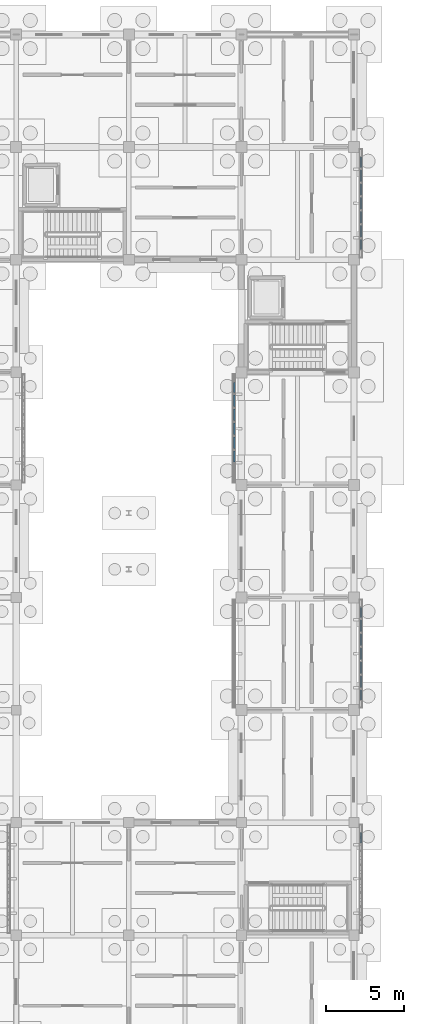
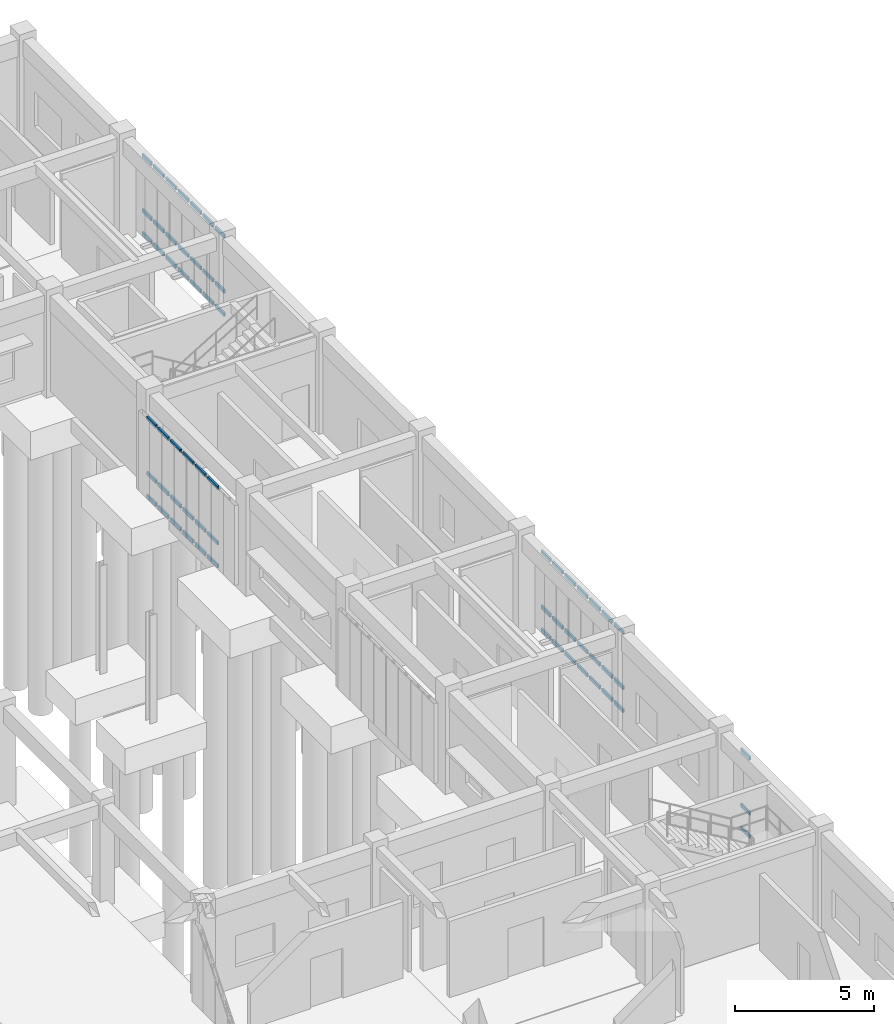
# One storey, part 46 of 111: 63 members, 4 elements without a shape of their own.
"""IFC4 building model written with IfcOpenShell, lengths in metres."""

from ifc_helpers import new_model, si_unit, direction, frame, origin, origin_2d, place, context, subcontext, project, spatial, hollow_rectangle, extrude, material, material_profile, profile_set, type_object, element, aggregate, save


model = new_model("IFC4")

# Units and contexts
model_context = context("Model", 3, precision=1e-05, world=origin(), true_north=direction((0.0, 1.0)))
body_context = subcontext(model_context, "Body", "Model", "MODEL_VIEW")
ifc_project = project(units=[si_unit("LENGTHUNIT", "METRE"), si_unit("AREAUNIT", "SQUARE_METRE"), si_unit("VOLUMEUNIT", "CUBIC_METRE"), si_unit("PLANEANGLEUNIT", "RADIAN"), si_unit("MASSUNIT", "GRAM", prefix="KILO")], contexts=[model_context])

# Site, building, storey
site_placement = place(None, origin())
site = spatial("IfcSite", under=ifc_project, at=site_placement, CompositionType="ELEMENT")
building_placement = place(site_placement, origin())
building = spatial("IfcBuilding", under=site, at=building_placement, Name="Aldebral Square Health Centre", CompositionType="ELEMENT")
storey_placement = place(building_placement, origin())
storey = spatial("IfcBuildingStorey", under=building, at=storey_placement, Name="L00", CompositionType="ELEMENT", Elevation=0.0)

# Curtain wall, members
ifc_material_1 = material(Name="Aluminium and low-E solar glass", Category="aluminium")
curtain_wall_type = type_object("IfcCurtainWallType", Name="CW-FIN-SYS", PredefinedType="USERDEFINED", material=ifc_material_1)
curtain_wall_1_placement = place(storey_placement, origin())
curtain_wall_1 = element("IfcCurtainWall", 1, at=curtain_wall_1_placement, inside=storey, type_object=curtain_wall_type, Name="L00 V5 finned curtain wall L00-V5-22-08-E", ObjectType="SOLAR_CURTAIN_WALL", PredefinedType="USERDEFINED")
ifc_material_2 = material(Name="Anodised aluminium transom", Category="aluminium")
ifc_material_profile = material_profile(ifc_material_2, hollow_rectangle(XDim=0.074951171875, YDim=0.14990234375, WallThickness=0.00390625, at=origin_2d()), Name="CWT 75x150x4")
ifc_profile_set = profile_set([ifc_material_profile], Name="Anodised aluminium transom")
member_type = type_object("IfcMemberType", Name="CWT-STD", PredefinedType="USERDEFINED", material=ifc_profile_set)
member_1_placement = place(storey_placement, frame((166.06005859375, 63.508544921875, 0.03759765625), z_axis=(0.0, 1.0, 0.0), x_axis=(-1.0, 0.0, 0.0)))
member_1 = element("IfcMember", 2, at=member_1_placement, type_object=member_type, Name="CW1 transom 7.1", ObjectType="TRANSOM", PredefinedType="USERDEFINED", context=body_context, shape_type="SweptSolid", body=[
    extrude(hollow_rectangle(XDim=0.074951171875, YDim=0.14990234375, WallThickness=0.00390625, at=origin_2d()), origin(), (0.0, 0.0, 1.0), 0.6513671875),
])
member_2_placement = place(storey_placement, frame((166.06005859375, 63.508544921875, 1.050048828125), z_axis=(0.0, 1.0, 0.0), x_axis=(-1.0, 0.0, 0.0)))
member_2 = element("IfcMember", 3, at=member_2_placement, type_object=member_type, Name="CW1 transom 7.2", ObjectType="TRANSOM", PredefinedType="USERDEFINED", context=body_context, shape_type="SweptSolid", body=[
    extrude(hollow_rectangle(XDim=0.074951171875, YDim=0.14990234375, WallThickness=0.00390625, at=origin_2d()), origin(), (0.0, 0.0, 1.0), 0.6513671875),
])
member_3_placement = place(storey_placement, frame((166.06005859375, 63.508544921875, 3.482421875), z_axis=(0.0, 1.0, 0.0), x_axis=(-1.0, 0.0, 0.0)))
member_3 = element("IfcMember", 4, at=member_3_placement, type_object=member_type, Name="CW1 transom 7.3", ObjectType="TRANSOM", PredefinedType="USERDEFINED", context=body_context, shape_type="SweptSolid", body=[
    extrude(hollow_rectangle(XDim=0.074951171875, YDim=0.14990234375, WallThickness=0.00390625, at=origin_2d()), origin(), (0.0, 0.0, 1.0), 0.6513671875),
])
aggregate(curtain_wall_1, [member_1, member_2, member_3])

curtain_wall_2_placement = place(storey_placement, origin())
curtain_wall_2 = element("IfcCurtainWall", 5, at=curtain_wall_2_placement, inside=storey, type_object=curtain_wall_type, Name="L00 V5 finned curtain wall L00-V5-22-10-E", ObjectType="SOLAR_CURTAIN_WALL", PredefinedType="USERDEFINED")
member_4_placement = place(storey_placement, frame((166.06005859375, 72.639892578125, 0.03759765625), z_axis=(0.0, 1.0, 0.0), x_axis=(-1.0, 0.0, 0.0)))
member_4 = element("IfcMember", 6, at=member_4_placement, type_object=member_type, Name="CW1 transom 1.1", ObjectType="TRANSOM", PredefinedType="USERDEFINED", context=body_context, shape_type="SweptSolid", body=[
    extrude(hollow_rectangle(XDim=0.074951171875, YDim=0.14990234375, WallThickness=0.00390625, at=origin_2d()), origin(), (0.0, 0.0, 1.0), 0.651611328125),
])
member_5_placement = place(storey_placement, frame((166.06005859375, 72.639892578125, 1.050048828125), z_axis=(0.0, 1.0, 0.0), x_axis=(-1.0, 0.0, 0.0)))
member_5 = element("IfcMember", 7, at=member_5_placement, type_object=member_type, Name="CW1 transom 1.2", ObjectType="TRANSOM", PredefinedType="USERDEFINED", context=body_context, shape_type="SweptSolid", body=[
    extrude(hollow_rectangle(XDim=0.074951171875, YDim=0.14990234375, WallThickness=0.00390625, at=origin_2d()), origin(), (0.0, 0.0, 1.0), 0.651611328125),
])
member_6_placement = place(storey_placement, frame((166.06005859375, 72.639892578125, 3.482421875), z_axis=(0.0, 1.0, 0.0), x_axis=(-1.0, 0.0, 0.0)))
member_6 = element("IfcMember", 8, at=member_6_placement, type_object=member_type, Name="CW1 transom 1.3", ObjectType="TRANSOM", PredefinedType="USERDEFINED", context=body_context, shape_type="SweptSolid", body=[
    extrude(hollow_rectangle(XDim=0.074951171875, YDim=0.14990234375, WallThickness=0.00390625, at=origin_2d()), origin(), (0.0, 0.0, 1.0), 0.651611328125),
])
member_7_placement = place(storey_placement, frame((166.06005859375, 73.451416015625, 0.03759765625), z_axis=(0.0, 1.0, 0.0), x_axis=(-1.0, 0.0, 0.0)))
member_7 = element("IfcMember", 9, at=member_7_placement, type_object=member_type, Name="CW1 transom 2.1", ObjectType="TRANSOM", PredefinedType="USERDEFINED", context=body_context, shape_type="SweptSolid", body=[
    extrude(hollow_rectangle(XDim=0.074951171875, YDim=0.14990234375, WallThickness=0.00390625, at=origin_2d()), origin(), (0.0, 0.0, 1.0), 0.7314453125),
])
member_8_placement = place(storey_placement, frame((166.06005859375, 73.451416015625, 1.050048828125), z_axis=(0.0, 1.0, 0.0), x_axis=(-1.0, 0.0, 0.0)))
member_8 = element("IfcMember", 10, at=member_8_placement, type_object=member_type, Name="CW1 transom 2.2", ObjectType="TRANSOM", PredefinedType="USERDEFINED", context=body_context, shape_type="SweptSolid", body=[
    extrude(hollow_rectangle(XDim=0.074951171875, YDim=0.14990234375, WallThickness=0.00390625, at=origin_2d()), origin(), (0.0, 0.0, 1.0), 0.7314453125),
])
member_9_placement = place(storey_placement, frame((166.06005859375, 73.451416015625, 3.482421875), z_axis=(0.0, 1.0, 0.0), x_axis=(-1.0, 0.0, 0.0)))
member_9 = element("IfcMember", 11, at=member_9_placement, type_object=member_type, Name="CW1 transom 2.3", ObjectType="TRANSOM", PredefinedType="USERDEFINED", context=body_context, shape_type="SweptSolid", body=[
    extrude(hollow_rectangle(XDim=0.074951171875, YDim=0.14990234375, WallThickness=0.00390625, at=origin_2d()), origin(), (0.0, 0.0, 1.0), 0.7314453125),
])
member_10_placement = place(storey_placement, frame((166.06005859375, 74.3427734375, 0.03759765625), z_axis=(0.0, 1.0, 0.0), x_axis=(-1.0, 0.0, 0.0)))
member_10 = element("IfcMember", 12, at=member_10_placement, type_object=member_type, Name="CW1 transom 3.1", ObjectType="TRANSOM", PredefinedType="USERDEFINED", context=body_context, shape_type="SweptSolid", body=[
    extrude(hollow_rectangle(XDim=0.074951171875, YDim=0.14990234375, WallThickness=0.00390625, at=origin_2d()), origin(), (0.0, 0.0, 1.0), 0.7314453125),
])
member_11_placement = place(storey_placement, frame((166.06005859375, 74.3427734375, 1.050048828125), z_axis=(0.0, 1.0, 0.0), x_axis=(-1.0, 0.0, 0.0)))
member_11 = element("IfcMember", 13, at=member_11_placement, type_object=member_type, Name="CW1 transom 3.2", ObjectType="TRANSOM", PredefinedType="USERDEFINED", context=body_context, shape_type="SweptSolid", body=[
    extrude(hollow_rectangle(XDim=0.074951171875, YDim=0.14990234375, WallThickness=0.00390625, at=origin_2d()), origin(), (0.0, 0.0, 1.0), 0.7314453125),
])
member_12_placement = place(storey_placement, frame((166.06005859375, 74.3427734375, 3.482421875), z_axis=(0.0, 1.0, 0.0), x_axis=(-1.0, 0.0, 0.0)))
member_12 = element("IfcMember", 14, at=member_12_placement, type_object=member_type, Name="CW1 transom 3.3", ObjectType="TRANSOM", PredefinedType="USERDEFINED", context=body_context, shape_type="SweptSolid", body=[
    extrude(hollow_rectangle(XDim=0.074951171875, YDim=0.14990234375, WallThickness=0.00390625, at=origin_2d()), origin(), (0.0, 0.0, 1.0), 0.7314453125),
])
member_13_placement = place(storey_placement, frame((166.06005859375, 75.234375, 0.03759765625), z_axis=(0.0, 1.0, 0.0), x_axis=(-1.0, 0.0, 0.0)))
member_13 = element("IfcMember", 15, at=member_13_placement, type_object=member_type, Name="CW1 transom 4.1", ObjectType="TRANSOM", PredefinedType="USERDEFINED", context=body_context, shape_type="SweptSolid", body=[
    extrude(hollow_rectangle(XDim=0.074951171875, YDim=0.14990234375, WallThickness=0.00390625, at=origin_2d()), origin(), (0.0, 0.0, 1.0), 0.7314453125),
])
member_14_placement = place(storey_placement, frame((166.06005859375, 75.234375, 1.050048828125), z_axis=(0.0, 1.0, 0.0), x_axis=(-1.0, 0.0, 0.0)))
member_14 = element("IfcMember", 16, at=member_14_placement, type_object=member_type, Name="CW1 transom 4.2", ObjectType="TRANSOM", PredefinedType="USERDEFINED", context=body_context, shape_type="SweptSolid", body=[
    extrude(hollow_rectangle(XDim=0.074951171875, YDim=0.14990234375, WallThickness=0.00390625, at=origin_2d()), origin(), (0.0, 0.0, 1.0), 0.7314453125),
])
member_15_placement = place(storey_placement, frame((166.06005859375, 75.234375, 3.482421875), z_axis=(0.0, 1.0, 0.0), x_axis=(-1.0, 0.0, 0.0)))
member_15 = element("IfcMember", 17, at=member_15_placement, type_object=member_type, Name="CW1 transom 4.3", ObjectType="TRANSOM", PredefinedType="USERDEFINED", context=body_context, shape_type="SweptSolid", body=[
    extrude(hollow_rectangle(XDim=0.074951171875, YDim=0.14990234375, WallThickness=0.00390625, at=origin_2d()), origin(), (0.0, 0.0, 1.0), 0.7314453125),
])
member_16_placement = place(storey_placement, frame((166.06005859375, 76.125732421875, 0.03759765625), z_axis=(0.0, 1.0, 0.0), x_axis=(-1.0, 0.0, 0.0)))
member_16 = element("IfcMember", 18, at=member_16_placement, type_object=member_type, Name="CW1 transom 5.1", ObjectType="TRANSOM", PredefinedType="USERDEFINED", context=body_context, shape_type="SweptSolid", body=[
    extrude(hollow_rectangle(XDim=0.074951171875, YDim=0.14990234375, WallThickness=0.00390625, at=origin_2d()), origin(), (0.0, 0.0, 1.0), 0.7314453125),
])
member_17_placement = place(storey_placement, frame((166.06005859375, 76.125732421875, 1.050048828125), z_axis=(0.0, 1.0, 0.0), x_axis=(-1.0, 0.0, 0.0)))
member_17 = element("IfcMember", 19, at=member_17_placement, type_object=member_type, Name="CW1 transom 5.2", ObjectType="TRANSOM", PredefinedType="USERDEFINED", context=body_context, shape_type="SweptSolid", body=[
    extrude(hollow_rectangle(XDim=0.074951171875, YDim=0.14990234375, WallThickness=0.00390625, at=origin_2d()), origin(), (0.0, 0.0, 1.0), 0.7314453125),
])
member_18_placement = place(storey_placement, frame((166.06005859375, 76.125732421875, 3.482421875), z_axis=(0.0, 1.0, 0.0), x_axis=(-1.0, 0.0, 0.0)))
member_18 = element("IfcMember", 20, at=member_18_placement, type_object=member_type, Name="CW1 transom 5.3", ObjectType="TRANSOM", PredefinedType="USERDEFINED", context=body_context, shape_type="SweptSolid", body=[
    extrude(hollow_rectangle(XDim=0.074951171875, YDim=0.14990234375, WallThickness=0.00390625, at=origin_2d()), origin(), (0.0, 0.0, 1.0), 0.7314453125),
])
member_19_placement = place(storey_placement, frame((166.06005859375, 77.01708984375, 0.03759765625), z_axis=(0.0, 1.0, 0.0), x_axis=(-1.0, 0.0, 0.0)))
member_19 = element("IfcMember", 21, at=member_19_placement, type_object=member_type, Name="CW1 transom 6.1", ObjectType="TRANSOM", PredefinedType="USERDEFINED", context=body_context, shape_type="SweptSolid", body=[
    extrude(hollow_rectangle(XDim=0.074951171875, YDim=0.14990234375, WallThickness=0.00390625, at=origin_2d()), origin(), (0.0, 0.0, 1.0), 0.7314453125),
])
member_20_placement = place(storey_placement, frame((166.06005859375, 77.01708984375, 1.050048828125), z_axis=(0.0, 1.0, 0.0), x_axis=(-1.0, 0.0, 0.0)))
member_20 = element("IfcMember", 22, at=member_20_placement, type_object=member_type, Name="CW1 transom 6.2", ObjectType="TRANSOM", PredefinedType="USERDEFINED", context=body_context, shape_type="SweptSolid", body=[
    extrude(hollow_rectangle(XDim=0.074951171875, YDim=0.14990234375, WallThickness=0.00390625, at=origin_2d()), origin(), (0.0, 0.0, 1.0), 0.7314453125),
])
member_21_placement = place(storey_placement, frame((166.06005859375, 77.01708984375, 3.482421875), z_axis=(0.0, 1.0, 0.0), x_axis=(-1.0, 0.0, 0.0)))
member_21 = element("IfcMember", 23, at=member_21_placement, type_object=member_type, Name="CW1 transom 6.3", ObjectType="TRANSOM", PredefinedType="USERDEFINED", context=body_context, shape_type="SweptSolid", body=[
    extrude(hollow_rectangle(XDim=0.074951171875, YDim=0.14990234375, WallThickness=0.00390625, at=origin_2d()), origin(), (0.0, 0.0, 1.0), 0.7314453125),
])
member_22_placement = place(storey_placement, frame((166.06005859375, 77.90869140625, 0.03759765625), z_axis=(0.0, 1.0, 0.0), x_axis=(-1.0, 0.0, 0.0)))
member_22 = element("IfcMember", 24, at=member_22_placement, type_object=member_type, Name="CW1 transom 7.1", ObjectType="TRANSOM", PredefinedType="USERDEFINED", context=body_context, shape_type="SweptSolid", body=[
    extrude(hollow_rectangle(XDim=0.074951171875, YDim=0.14990234375, WallThickness=0.00390625, at=origin_2d()), origin(), (0.0, 0.0, 1.0), 0.6513671875),
])
member_23_placement = place(storey_placement, frame((166.06005859375, 77.90869140625, 1.050048828125), z_axis=(0.0, 1.0, 0.0), x_axis=(-1.0, 0.0, 0.0)))
member_23 = element("IfcMember", 25, at=member_23_placement, type_object=member_type, Name="CW1 transom 7.2", ObjectType="TRANSOM", PredefinedType="USERDEFINED", context=body_context, shape_type="SweptSolid", body=[
    extrude(hollow_rectangle(XDim=0.074951171875, YDim=0.14990234375, WallThickness=0.00390625, at=origin_2d()), origin(), (0.0, 0.0, 1.0), 0.6513671875),
])
member_24_placement = place(storey_placement, frame((166.06005859375, 77.90869140625, 3.482421875), z_axis=(0.0, 1.0, 0.0), x_axis=(-1.0, 0.0, 0.0)))
member_24 = element("IfcMember", 26, at=member_24_placement, type_object=member_type, Name="CW1 transom 7.3", ObjectType="TRANSOM", PredefinedType="USERDEFINED", context=body_context, shape_type="SweptSolid", body=[
    extrude(hollow_rectangle(XDim=0.074951171875, YDim=0.14990234375, WallThickness=0.00390625, at=origin_2d()), origin(), (0.0, 0.0, 1.0), 0.6513671875),
])
aggregate(curtain_wall_2, [member_4, member_5, member_6, member_7, member_8, member_9, member_10, member_11, member_12, member_13, member_14, member_15, member_16, member_17, member_18, member_19, member_20, member_21, member_22, member_23, member_24])

curtain_wall_3_placement = place(storey_placement, origin())
curtain_wall_3 = element("IfcCurtainWall", 27, at=curtain_wall_3_placement, inside=storey, type_object=curtain_wall_type, Name="L00 V5 finned curtain wall L00-V5-22-12-W", ObjectType="SOLAR_CURTAIN_WALL", PredefinedType="USERDEFINED")
member_25_placement = place(storey_placement, frame((157.93994140625, 92.9599609375, 0.03759765625), z_axis=(0.0, -1.0, 0.0), x_axis=(1.0, 0.0, 0.0)))
member_25 = element("IfcMember", 28, at=member_25_placement, type_object=member_type, Name="CW1 transom 1.1", ObjectType="TRANSOM", PredefinedType="USERDEFINED", context=body_context, shape_type="SweptSolid", body=[
    extrude(hollow_rectangle(XDim=0.074951171875, YDim=0.14990234375, WallThickness=0.00390625, at=origin_2d()), origin(), (0.0, 0.0, 1.0), 0.6513671875),
])
member_26_placement = place(storey_placement, frame((157.93994140625, 92.9599609375, 1.050048828125), z_axis=(0.0, -1.0, 0.0), x_axis=(1.0, 0.0, 0.0)))
member_26 = element("IfcMember", 29, at=member_26_placement, type_object=member_type, Name="CW1 transom 1.2", ObjectType="TRANSOM", PredefinedType="USERDEFINED", context=body_context, shape_type="SweptSolid", body=[
    extrude(hollow_rectangle(XDim=0.074951171875, YDim=0.14990234375, WallThickness=0.00390625, at=origin_2d()), origin(), (0.0, 0.0, 1.0), 0.6513671875),
])
member_27_placement = place(storey_placement, frame((157.93994140625, 92.9599609375, 3.482421875), z_axis=(0.0, -1.0, 0.0), x_axis=(1.0, 0.0, 0.0)))
member_27 = element("IfcMember", 30, at=member_27_placement, type_object=member_type, Name="CW1 transom 1.3", ObjectType="TRANSOM", PredefinedType="USERDEFINED", context=body_context, shape_type="SweptSolid", body=[
    extrude(hollow_rectangle(XDim=0.074951171875, YDim=0.14990234375, WallThickness=0.00390625, at=origin_2d()), origin(), (0.0, 0.0, 1.0), 0.6513671875),
])
member_28_placement = place(storey_placement, frame((157.93994140625, 92.148681640625, 0.03759765625), z_axis=(0.0, -1.0, 0.0), x_axis=(1.0, 0.0, 0.0)))
member_28 = element("IfcMember", 31, at=member_28_placement, type_object=member_type, Name="CW1 transom 2.1", ObjectType="TRANSOM", PredefinedType="USERDEFINED", context=body_context, shape_type="SweptSolid", body=[
    extrude(hollow_rectangle(XDim=0.074951171875, YDim=0.14990234375, WallThickness=0.00390625, at=origin_2d()), origin(), (0.0, 0.0, 1.0), 0.7314453125),
])
member_29_placement = place(storey_placement, frame((157.93994140625, 92.148681640625, 1.050048828125), z_axis=(0.0, -1.0, 0.0), x_axis=(1.0, 0.0, 0.0)))
member_29 = element("IfcMember", 32, at=member_29_placement, type_object=member_type, Name="CW1 transom 2.2", ObjectType="TRANSOM", PredefinedType="USERDEFINED", context=body_context, shape_type="SweptSolid", body=[
    extrude(hollow_rectangle(XDim=0.074951171875, YDim=0.14990234375, WallThickness=0.00390625, at=origin_2d()), origin(), (0.0, 0.0, 1.0), 0.7314453125),
])
member_30_placement = place(storey_placement, frame((157.93994140625, 92.148681640625, 3.482421875), z_axis=(0.0, -1.0, 0.0), x_axis=(1.0, 0.0, 0.0)))
member_30 = element("IfcMember", 33, at=member_30_placement, type_object=member_type, Name="CW1 transom 2.3", ObjectType="TRANSOM", PredefinedType="USERDEFINED", context=body_context, shape_type="SweptSolid", body=[
    extrude(hollow_rectangle(XDim=0.074951171875, YDim=0.14990234375, WallThickness=0.00390625, at=origin_2d()), origin(), (0.0, 0.0, 1.0), 0.7314453125),
])
member_31_placement = place(storey_placement, frame((157.93994140625, 91.257080078125, 0.03759765625), z_axis=(0.0, -1.0, 0.0), x_axis=(1.0, 0.0, 0.0)))
member_31 = element("IfcMember", 34, at=member_31_placement, type_object=member_type, Name="CW1 transom 3.1", ObjectType="TRANSOM", PredefinedType="USERDEFINED", context=body_context, shape_type="SweptSolid", body=[
    extrude(hollow_rectangle(XDim=0.074951171875, YDim=0.14990234375, WallThickness=0.00390625, at=origin_2d()), origin(), (0.0, 0.0, 1.0), 0.7314453125),
])
member_32_placement = place(storey_placement, frame((157.93994140625, 91.257080078125, 1.050048828125), z_axis=(0.0, -1.0, 0.0), x_axis=(1.0, 0.0, 0.0)))
member_32 = element("IfcMember", 35, at=member_32_placement, type_object=member_type, Name="CW1 transom 3.2", ObjectType="TRANSOM", PredefinedType="USERDEFINED", context=body_context, shape_type="SweptSolid", body=[
    extrude(hollow_rectangle(XDim=0.074951171875, YDim=0.14990234375, WallThickness=0.00390625, at=origin_2d()), origin(), (0.0, 0.0, 1.0), 0.7314453125),
])
member_33_placement = place(storey_placement, frame((157.93994140625, 91.257080078125, 3.482421875), z_axis=(0.0, -1.0, 0.0), x_axis=(1.0, 0.0, 0.0)))
member_33 = element("IfcMember", 36, at=member_33_placement, type_object=member_type, Name="CW1 transom 3.3", ObjectType="TRANSOM", PredefinedType="USERDEFINED", context=body_context, shape_type="SweptSolid", body=[
    extrude(hollow_rectangle(XDim=0.074951171875, YDim=0.14990234375, WallThickness=0.00390625, at=origin_2d()), origin(), (0.0, 0.0, 1.0), 0.7314453125),
])
member_34_placement = place(storey_placement, frame((157.93994140625, 90.36572265625, 0.03759765625), z_axis=(0.0, -1.0, 0.0), x_axis=(1.0, 0.0, 0.0)))
member_34 = element("IfcMember", 37, at=member_34_placement, type_object=member_type, Name="CW1 transom 4.1", ObjectType="TRANSOM", PredefinedType="USERDEFINED", context=body_context, shape_type="SweptSolid", body=[
    extrude(hollow_rectangle(XDim=0.074951171875, YDim=0.14990234375, WallThickness=0.00390625, at=origin_2d()), origin(), (0.0, 0.0, 1.0), 0.7314453125),
])
member_35_placement = place(storey_placement, frame((157.93994140625, 90.36572265625, 1.050048828125), z_axis=(0.0, -1.0, 0.0), x_axis=(1.0, 0.0, 0.0)))
member_35 = element("IfcMember", 38, at=member_35_placement, type_object=member_type, Name="CW1 transom 4.2", ObjectType="TRANSOM", PredefinedType="USERDEFINED", context=body_context, shape_type="SweptSolid", body=[
    extrude(hollow_rectangle(XDim=0.074951171875, YDim=0.14990234375, WallThickness=0.00390625, at=origin_2d()), origin(), (0.0, 0.0, 1.0), 0.7314453125),
])
member_36_placement = place(storey_placement, frame((157.93994140625, 90.36572265625, 3.482421875), z_axis=(0.0, -1.0, 0.0), x_axis=(1.0, 0.0, 0.0)))
member_36 = element("IfcMember", 39, at=member_36_placement, type_object=member_type, Name="CW1 transom 4.3", ObjectType="TRANSOM", PredefinedType="USERDEFINED", context=body_context, shape_type="SweptSolid", body=[
    extrude(hollow_rectangle(XDim=0.074951171875, YDim=0.14990234375, WallThickness=0.00390625, at=origin_2d()), origin(), (0.0, 0.0, 1.0), 0.7314453125),
])
member_37_placement = place(storey_placement, frame((157.93994140625, 89.474365234375, 0.03759765625), z_axis=(0.0, -1.0, 0.0), x_axis=(1.0, 0.0, 0.0)))
member_37 = element("IfcMember", 40, at=member_37_placement, type_object=member_type, Name="CW1 transom 5.1", ObjectType="TRANSOM", PredefinedType="USERDEFINED", context=body_context, shape_type="SweptSolid", body=[
    extrude(hollow_rectangle(XDim=0.074951171875, YDim=0.14990234375, WallThickness=0.00390625, at=origin_2d()), origin(), (0.0, 0.0, 1.0), 0.7314453125),
])
member_38_placement = place(storey_placement, frame((157.93994140625, 89.474365234375, 1.050048828125), z_axis=(0.0, -1.0, 0.0), x_axis=(1.0, 0.0, 0.0)))
member_38 = element("IfcMember", 41, at=member_38_placement, type_object=member_type, Name="CW1 transom 5.2", ObjectType="TRANSOM", PredefinedType="USERDEFINED", context=body_context, shape_type="SweptSolid", body=[
    extrude(hollow_rectangle(XDim=0.074951171875, YDim=0.14990234375, WallThickness=0.00390625, at=origin_2d()), origin(), (0.0, 0.0, 1.0), 0.7314453125),
])
member_39_placement = place(storey_placement, frame((157.93994140625, 89.474365234375, 3.482421875), z_axis=(0.0, -1.0, 0.0), x_axis=(1.0, 0.0, 0.0)))
member_39 = element("IfcMember", 42, at=member_39_placement, type_object=member_type, Name="CW1 transom 5.3", ObjectType="TRANSOM", PredefinedType="USERDEFINED", context=body_context, shape_type="SweptSolid", body=[
    extrude(hollow_rectangle(XDim=0.074951171875, YDim=0.14990234375, WallThickness=0.00390625, at=origin_2d()), origin(), (0.0, 0.0, 1.0), 0.7314453125),
])
member_40_placement = place(storey_placement, frame((157.93994140625, 88.582763671875, 0.03759765625), z_axis=(0.0, -1.0, 0.0), x_axis=(1.0, 0.0, 0.0)))
member_40 = element("IfcMember", 43, at=member_40_placement, type_object=member_type, Name="CW1 transom 6.1", ObjectType="TRANSOM", PredefinedType="USERDEFINED", context=body_context, shape_type="SweptSolid", body=[
    extrude(hollow_rectangle(XDim=0.074951171875, YDim=0.14990234375, WallThickness=0.00390625, at=origin_2d()), origin(), (0.0, 0.0, 1.0), 0.7314453125),
])
member_41_placement = place(storey_placement, frame((157.93994140625, 88.582763671875, 1.050048828125), z_axis=(0.0, -1.0, 0.0), x_axis=(1.0, 0.0, 0.0)))
member_41 = element("IfcMember", 44, at=member_41_placement, type_object=member_type, Name="CW1 transom 6.2", ObjectType="TRANSOM", PredefinedType="USERDEFINED", context=body_context, shape_type="SweptSolid", body=[
    extrude(hollow_rectangle(XDim=0.074951171875, YDim=0.14990234375, WallThickness=0.00390625, at=origin_2d()), origin(), (0.0, 0.0, 1.0), 0.7314453125),
])
member_42_placement = place(storey_placement, frame((157.93994140625, 88.582763671875, 3.482421875), z_axis=(0.0, -1.0, 0.0), x_axis=(1.0, 0.0, 0.0)))
member_42 = element("IfcMember", 45, at=member_42_placement, type_object=member_type, Name="CW1 transom 6.3", ObjectType="TRANSOM", PredefinedType="USERDEFINED", context=body_context, shape_type="SweptSolid", body=[
    extrude(hollow_rectangle(XDim=0.074951171875, YDim=0.14990234375, WallThickness=0.00390625, at=origin_2d()), origin(), (0.0, 0.0, 1.0), 0.7314453125),
])
aggregate(curtain_wall_3, [member_25, member_26, member_27, member_28, member_29, member_30, member_31, member_32, member_33, member_34, member_35, member_36, member_37, member_38, member_39, member_40, member_41, member_42])

curtain_wall_4_placement = place(storey_placement, origin())
curtain_wall_4 = element("IfcCurtainWall", 46, at=curtain_wall_4_placement, inside=storey, type_object=curtain_wall_type, Name="L00 V5 finned curtain wall L00-V5-22-14-E", ObjectType="SOLAR_CURTAIN_WALL", PredefinedType="USERDEFINED")
member_43_placement = place(storey_placement, frame((166.06005859375, 101.43994140625, 0.03759765625), z_axis=(0.0, 1.0, 0.0), x_axis=(-1.0, 0.0, 0.0)))
member_43 = element("IfcMember", 47, at=member_43_placement, type_object=member_type, Name="CW1 transom 1.1", ObjectType="TRANSOM", PredefinedType="USERDEFINED", context=body_context, shape_type="SweptSolid", body=[
    extrude(hollow_rectangle(XDim=0.074951171875, YDim=0.14990234375, WallThickness=0.00390625, at=origin_2d()), origin(), (0.0, 0.0, 1.0), 0.6513671875),
])
member_44_placement = place(storey_placement, frame((166.06005859375, 101.43994140625, 1.050048828125), z_axis=(0.0, 1.0, 0.0), x_axis=(-1.0, 0.0, 0.0)))
member_44 = element("IfcMember", 48, at=member_44_placement, type_object=member_type, Name="CW1 transom 1.2", ObjectType="TRANSOM", PredefinedType="USERDEFINED", context=body_context, shape_type="SweptSolid", body=[
    extrude(hollow_rectangle(XDim=0.074951171875, YDim=0.14990234375, WallThickness=0.00390625, at=origin_2d()), origin(), (0.0, 0.0, 1.0), 0.6513671875),
])
member_45_placement = place(storey_placement, frame((166.06005859375, 101.43994140625, 3.482421875), z_axis=(0.0, 1.0, 0.0), x_axis=(-1.0, 0.0, 0.0)))
member_45 = element("IfcMember", 49, at=member_45_placement, type_object=member_type, Name="CW1 transom 1.3", ObjectType="TRANSOM", PredefinedType="USERDEFINED", context=body_context, shape_type="SweptSolid", body=[
    extrude(hollow_rectangle(XDim=0.074951171875, YDim=0.14990234375, WallThickness=0.00390625, at=origin_2d()), origin(), (0.0, 0.0, 1.0), 0.6513671875),
])
member_46_placement = place(storey_placement, frame((166.06005859375, 102.25146484375, 0.03759765625), z_axis=(0.0, 1.0, 0.0), x_axis=(-1.0, 0.0, 0.0)))
member_46 = element("IfcMember", 50, at=member_46_placement, type_object=member_type, Name="CW1 transom 2.1", ObjectType="TRANSOM", PredefinedType="USERDEFINED", context=body_context, shape_type="SweptSolid", body=[
    extrude(hollow_rectangle(XDim=0.074951171875, YDim=0.14990234375, WallThickness=0.00390625, at=origin_2d()), origin(), (0.0, 0.0, 1.0), 0.7314453125),
])
member_47_placement = place(storey_placement, frame((166.06005859375, 102.25146484375, 1.050048828125), z_axis=(0.0, 1.0, 0.0), x_axis=(-1.0, 0.0, 0.0)))
member_47 = element("IfcMember", 51, at=member_47_placement, type_object=member_type, Name="CW1 transom 2.2", ObjectType="TRANSOM", PredefinedType="USERDEFINED", context=body_context, shape_type="SweptSolid", body=[
    extrude(hollow_rectangle(XDim=0.074951171875, YDim=0.14990234375, WallThickness=0.00390625, at=origin_2d()), origin(), (0.0, 0.0, 1.0), 0.7314453125),
])
member_48_placement = place(storey_placement, frame((166.06005859375, 102.25146484375, 3.482421875), z_axis=(0.0, 1.0, 0.0), x_axis=(-1.0, 0.0, 0.0)))
member_48 = element("IfcMember", 52, at=member_48_placement, type_object=member_type, Name="CW1 transom 2.3", ObjectType="TRANSOM", PredefinedType="USERDEFINED", context=body_context, shape_type="SweptSolid", body=[
    extrude(hollow_rectangle(XDim=0.074951171875, YDim=0.14990234375, WallThickness=0.00390625, at=origin_2d()), origin(), (0.0, 0.0, 1.0), 0.7314453125),
])
member_49_placement = place(storey_placement, frame((166.06005859375, 103.142822265625, 0.03759765625), z_axis=(0.0, 1.0, 0.0), x_axis=(-1.0, 0.0, 0.0)))
member_49 = element("IfcMember", 53, at=member_49_placement, type_object=member_type, Name="CW1 transom 3.1", ObjectType="TRANSOM", PredefinedType="USERDEFINED", context=body_context, shape_type="SweptSolid", body=[
    extrude(hollow_rectangle(XDim=0.074951171875, YDim=0.14990234375, WallThickness=0.00390625, at=origin_2d()), origin(), (0.0, 0.0, 1.0), 0.7314453125),
])
member_50_placement = place(storey_placement, frame((166.06005859375, 103.142822265625, 1.050048828125), z_axis=(0.0, 1.0, 0.0), x_axis=(-1.0, 0.0, 0.0)))
member_50 = element("IfcMember", 54, at=member_50_placement, type_object=member_type, Name="CW1 transom 3.2", ObjectType="TRANSOM", PredefinedType="USERDEFINED", context=body_context, shape_type="SweptSolid", body=[
    extrude(hollow_rectangle(XDim=0.074951171875, YDim=0.14990234375, WallThickness=0.00390625, at=origin_2d()), origin(), (0.0, 0.0, 1.0), 0.7314453125),
])
member_51_placement = place(storey_placement, frame((166.06005859375, 103.142822265625, 3.482421875), z_axis=(0.0, 1.0, 0.0), x_axis=(-1.0, 0.0, 0.0)))
member_51 = element("IfcMember", 55, at=member_51_placement, type_object=member_type, Name="CW1 transom 3.3", ObjectType="TRANSOM", PredefinedType="USERDEFINED", context=body_context, shape_type="SweptSolid", body=[
    extrude(hollow_rectangle(XDim=0.074951171875, YDim=0.14990234375, WallThickness=0.00390625, at=origin_2d()), origin(), (0.0, 0.0, 1.0), 0.7314453125),
])
member_52_placement = place(storey_placement, frame((166.06005859375, 104.0341796875, 0.03759765625), z_axis=(0.0, 1.0, 0.0), x_axis=(-1.0, 0.0, 0.0)))
member_52 = element("IfcMember", 56, at=member_52_placement, type_object=member_type, Name="CW1 transom 4.1", ObjectType="TRANSOM", PredefinedType="USERDEFINED", context=body_context, shape_type="SweptSolid", body=[
    extrude(hollow_rectangle(XDim=0.074951171875, YDim=0.14990234375, WallThickness=0.00390625, at=origin_2d()), origin(), (0.0, 0.0, 1.0), 0.7314453125),
])
member_53_placement = place(storey_placement, frame((166.06005859375, 104.0341796875, 1.050048828125), z_axis=(0.0, 1.0, 0.0), x_axis=(-1.0, 0.0, 0.0)))
member_53 = element("IfcMember", 57, at=member_53_placement, type_object=member_type, Name="CW1 transom 4.2", ObjectType="TRANSOM", PredefinedType="USERDEFINED", context=body_context, shape_type="SweptSolid", body=[
    extrude(hollow_rectangle(XDim=0.074951171875, YDim=0.14990234375, WallThickness=0.00390625, at=origin_2d()), origin(), (0.0, 0.0, 1.0), 0.7314453125),
])
member_54_placement = place(storey_placement, frame((166.06005859375, 104.0341796875, 3.482421875), z_axis=(0.0, 1.0, 0.0), x_axis=(-1.0, 0.0, 0.0)))
member_54 = element("IfcMember", 58, at=member_54_placement, type_object=member_type, Name="CW1 transom 4.3", ObjectType="TRANSOM", PredefinedType="USERDEFINED", context=body_context, shape_type="SweptSolid", body=[
    extrude(hollow_rectangle(XDim=0.074951171875, YDim=0.14990234375, WallThickness=0.00390625, at=origin_2d()), origin(), (0.0, 0.0, 1.0), 0.7314453125),
])
member_55_placement = place(storey_placement, frame((166.06005859375, 104.92578125, 0.03759765625), z_axis=(0.0, 1.0, 0.0), x_axis=(-1.0, 0.0, 0.0)))
member_55 = element("IfcMember", 59, at=member_55_placement, type_object=member_type, Name="CW1 transom 5.1", ObjectType="TRANSOM", PredefinedType="USERDEFINED", context=body_context, shape_type="SweptSolid", body=[
    extrude(hollow_rectangle(XDim=0.074951171875, YDim=0.14990234375, WallThickness=0.00390625, at=origin_2d()), origin(), (0.0, 0.0, 1.0), 0.7314453125),
])
member_56_placement = place(storey_placement, frame((166.06005859375, 104.92578125, 1.050048828125), z_axis=(0.0, 1.0, 0.0), x_axis=(-1.0, 0.0, 0.0)))
member_56 = element("IfcMember", 60, at=member_56_placement, type_object=member_type, Name="CW1 transom 5.2", ObjectType="TRANSOM", PredefinedType="USERDEFINED", context=body_context, shape_type="SweptSolid", body=[
    extrude(hollow_rectangle(XDim=0.074951171875, YDim=0.14990234375, WallThickness=0.00390625, at=origin_2d()), origin(), (0.0, 0.0, 1.0), 0.7314453125),
])
member_57_placement = place(storey_placement, frame((166.06005859375, 104.92578125, 3.482421875), z_axis=(0.0, 1.0, 0.0), x_axis=(-1.0, 0.0, 0.0)))
member_57 = element("IfcMember", 61, at=member_57_placement, type_object=member_type, Name="CW1 transom 5.3", ObjectType="TRANSOM", PredefinedType="USERDEFINED", context=body_context, shape_type="SweptSolid", body=[
    extrude(hollow_rectangle(XDim=0.074951171875, YDim=0.14990234375, WallThickness=0.00390625, at=origin_2d()), origin(), (0.0, 0.0, 1.0), 0.7314453125),
])
member_58_placement = place(storey_placement, frame((166.06005859375, 105.817138671875, 0.03759765625), z_axis=(0.0, 1.0, 0.0), x_axis=(-1.0, 0.0, 0.0)))
member_58 = element("IfcMember", 62, at=member_58_placement, type_object=member_type, Name="CW1 transom 6.1", ObjectType="TRANSOM", PredefinedType="USERDEFINED", context=body_context, shape_type="SweptSolid", body=[
    extrude(hollow_rectangle(XDim=0.074951171875, YDim=0.14990234375, WallThickness=0.00390625, at=origin_2d()), origin(), (0.0, 0.0, 1.0), 0.7314453125),
])
member_59_placement = place(storey_placement, frame((166.06005859375, 105.817138671875, 1.050048828125), z_axis=(0.0, 1.0, 0.0), x_axis=(-1.0, 0.0, 0.0)))
member_59 = element("IfcMember", 63, at=member_59_placement, type_object=member_type, Name="CW1 transom 6.2", ObjectType="TRANSOM", PredefinedType="USERDEFINED", context=body_context, shape_type="SweptSolid", body=[
    extrude(hollow_rectangle(XDim=0.074951171875, YDim=0.14990234375, WallThickness=0.00390625, at=origin_2d()), origin(), (0.0, 0.0, 1.0), 0.7314453125),
])
member_60_placement = place(storey_placement, frame((166.06005859375, 105.817138671875, 3.482421875), z_axis=(0.0, 1.0, 0.0), x_axis=(-1.0, 0.0, 0.0)))
member_60 = element("IfcMember", 64, at=member_60_placement, type_object=member_type, Name="CW1 transom 6.3", ObjectType="TRANSOM", PredefinedType="USERDEFINED", context=body_context, shape_type="SweptSolid", body=[
    extrude(hollow_rectangle(XDim=0.074951171875, YDim=0.14990234375, WallThickness=0.00390625, at=origin_2d()), origin(), (0.0, 0.0, 1.0), 0.7314453125),
])
member_61_placement = place(storey_placement, frame((166.06005859375, 106.70849609375, 0.03759765625), z_axis=(0.0, 1.0, 0.0), x_axis=(-1.0, 0.0, 0.0)))
member_61 = element("IfcMember", 65, at=member_61_placement, type_object=member_type, Name="CW1 transom 7.1", ObjectType="TRANSOM", PredefinedType="USERDEFINED", context=body_context, shape_type="SweptSolid", body=[
    extrude(hollow_rectangle(XDim=0.074951171875, YDim=0.14990234375, WallThickness=0.00390625, at=origin_2d()), origin(), (0.0, 0.0, 1.0), 0.651611328125),
])
member_62_placement = place(storey_placement, frame((166.06005859375, 106.70849609375, 1.050048828125), z_axis=(0.0, 1.0, 0.0), x_axis=(-1.0, 0.0, 0.0)))
member_62 = element("IfcMember", 66, at=member_62_placement, type_object=member_type, Name="CW1 transom 7.2", ObjectType="TRANSOM", PredefinedType="USERDEFINED", context=body_context, shape_type="SweptSolid", body=[
    extrude(hollow_rectangle(XDim=0.074951171875, YDim=0.14990234375, WallThickness=0.00390625, at=origin_2d()), origin(), (0.0, 0.0, 1.0), 0.651611328125),
])
member_63_placement = place(storey_placement, frame((166.06005859375, 106.70849609375, 3.482421875), z_axis=(0.0, 1.0, 0.0), x_axis=(-1.0, 0.0, 0.0)))
member_63 = element("IfcMember", 67, at=member_63_placement, type_object=member_type, Name="CW1 transom 7.3", ObjectType="TRANSOM", PredefinedType="USERDEFINED", context=body_context, shape_type="SweptSolid", body=[
    extrude(hollow_rectangle(XDim=0.074951171875, YDim=0.14990234375, WallThickness=0.00390625, at=origin_2d()), origin(), (0.0, 0.0, 1.0), 0.651611328125),
])
aggregate(curtain_wall_4, [member_43, member_44, member_45, member_46, member_47, member_48, member_49, member_50, member_51, member_52, member_53, member_54, member_55, member_56, member_57, member_58, member_59, member_60, member_61, member_62, member_63])

save(model, "model.ifc")
